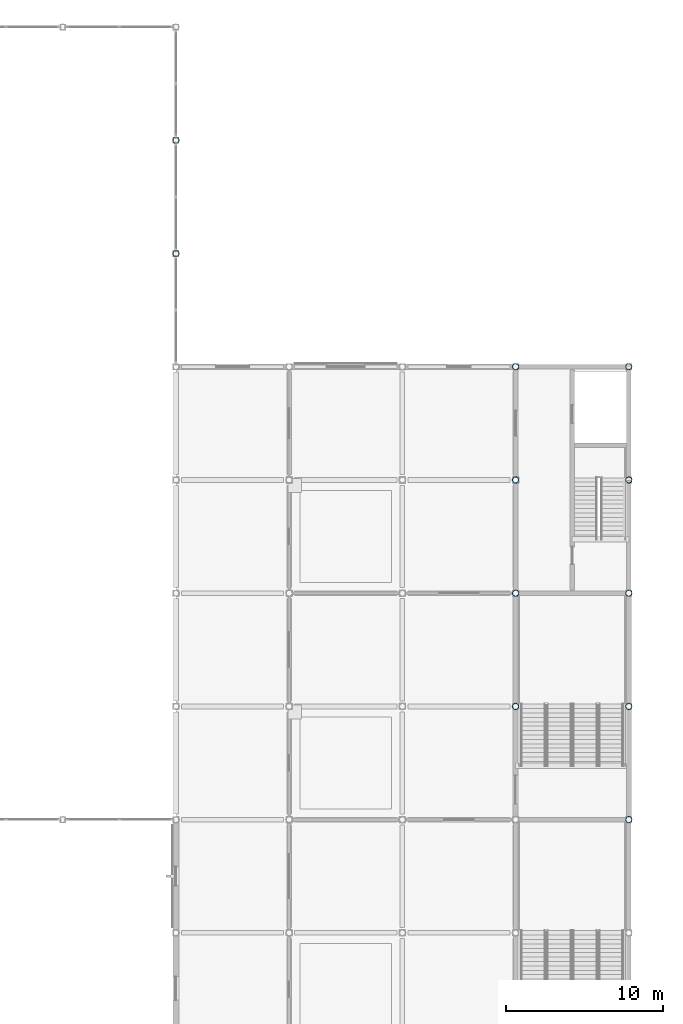
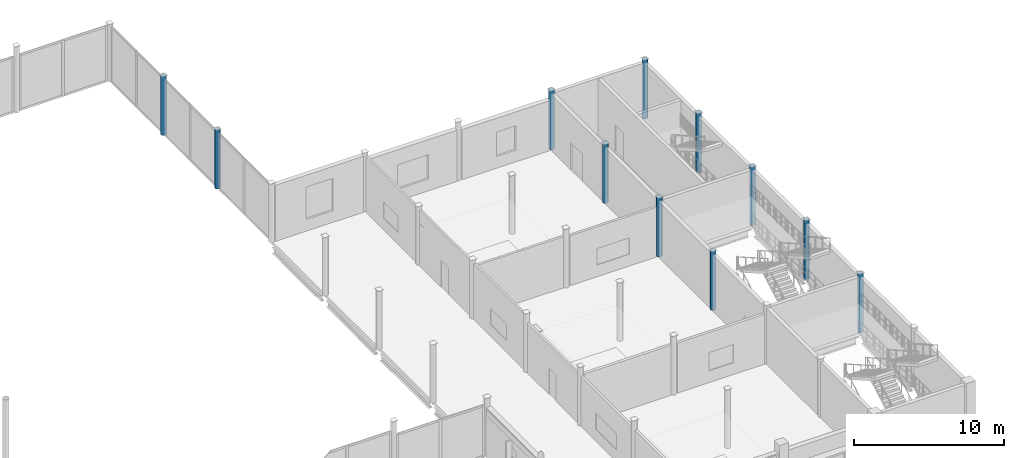
# One storey, part 16 of 120: 11 columns.
"""IFC4 building model written with IfcOpenShell, lengths in metres."""

from ifc_helpers import new_model, si_unit, direction, frame, origin, origin_2d, place, context, subcontext, project, spatial, hollow_circle, extrude, material, material_profile, profile_set, type_object, element, save


model = new_model("IFC4")

# Units and contexts
model_context = context("Model", 3, precision=1e-05, world=origin(), true_north=direction((0.0, 1.0)))
body_context = subcontext(model_context, "Body", "Model", "MODEL_VIEW")
ifc_project = project(units=[si_unit("LENGTHUNIT", "METRE"), si_unit("AREAUNIT", "SQUARE_METRE"), si_unit("VOLUMEUNIT", "CUBIC_METRE"), si_unit("PLANEANGLEUNIT", "RADIAN"), si_unit("MASSUNIT", "GRAM", prefix="KILO")], contexts=[model_context])

# Site, building, storey
site_placement = place(None, origin())
site = spatial("IfcSite", under=ifc_project, at=site_placement, CompositionType="ELEMENT")
building_placement = place(site_placement, origin())
building = spatial("IfcBuilding", under=site, at=building_placement, Name="Vesperath Aquatics Centre", CompositionType="ELEMENT")
storey_placement = place(building_placement, frame((0.0, 0.0, 10.199951171875)))
storey = spatial("IfcBuildingStorey", under=building, at=storey_placement, Name="L02", CompositionType="ELEMENT", Elevation=10.199951171875)

# Columns
ifc_material = material(Name="Steel Q355D", Category="steel")
ifc_material_profile = material_profile(ifc_material, hollow_circle(Radius=0.203125, WallThickness=0.01611328125, at=origin_2d()), Name="CHS 406.4x16")
ifc_profile_set = profile_set([ifc_material_profile], Name="Steel Q355D")
column_type = type_object("IfcColumnType", Name="CL-C14", PredefinedType="COLUMN", material=ifc_profile_set)
for number, where, z_axis, x_axis, name in (
    (1, (144.0, 100.800048828125, 0.0), (0.0, 0.0, 1.0), (1.0, 0.0, 0.0), "Column C14 L02 21/Q"),
    (2, (144.0, 108.0, 0.0), (0.0, 0.0, 1.0), (1.0, 0.0, 0.0), "Column C14 L02 21/R"),
    (3, (165.60009765625, 72.0, 0.0), (0.0, 0.0, 1.0), (1.0, 0.0, 0.0), "Column C14 L02 24/L"),
    (4, (165.60009765625, 79.199951171875, 0.0), (0.0, 0.0, 1.0), (1.0, 0.0, 0.0), "Column C14 L02 24/M"),
    (5, (165.60009765625, 86.39990234375, 0.0), (0.0, 0.0, 1.0), (1.0, 0.0, 0.0), "Column C14 L02 24/N"),
    (6, (165.60009765625, 93.60009765625, 0.0), (0.0, 0.0, 1.0), (1.0, 0.0, 0.0), "Column C14 L02 24/P"),
    (7, (172.800048828125, 64.800048828125, 0.0), (0.0, 0.0, 1.0), (1.0, 0.0, 0.0), "Column C14 L02 25/K"),
    (8, (172.800048828125, 72.0, 0.0), (0.0, 0.0, 1.0), (1.0, 0.0, 0.0), "Column C14 L02 25/L"),
    (9, (172.800048828125, 79.199951171875, 0.0), (0.0, 0.0, 1.0), (1.0, 0.0, 0.0), "Column C14 L02 25/M"),
    (10, (172.800048828125, 86.39990234375, 0.0), (0.0, 0.0, 1.0), (1.0, 0.0, 0.0), "Column C14 L02 25/N"),
    (11, (172.800048828125, 93.60009765625, 0.0), (0.0, 0.0, 1.0), (1.0, 0.0, 0.0), "Column C14 L02 25/P"),
):
    element("IfcColumn", number, at=place(storey_placement, frame(where, z_axis=z_axis, x_axis=x_axis)), inside=storey, type_object=column_type, Name=name, PredefinedType="COLUMN", context=body_context, shape_type="SweptSolid", body=[
        extrude(hollow_circle(Radius=0.203125, WallThickness=0.01611328125, at=origin_2d()), origin(), (0.0, 0.0, 1.0), 4.800048828125),
    ])

save(model, "model.ifc")
